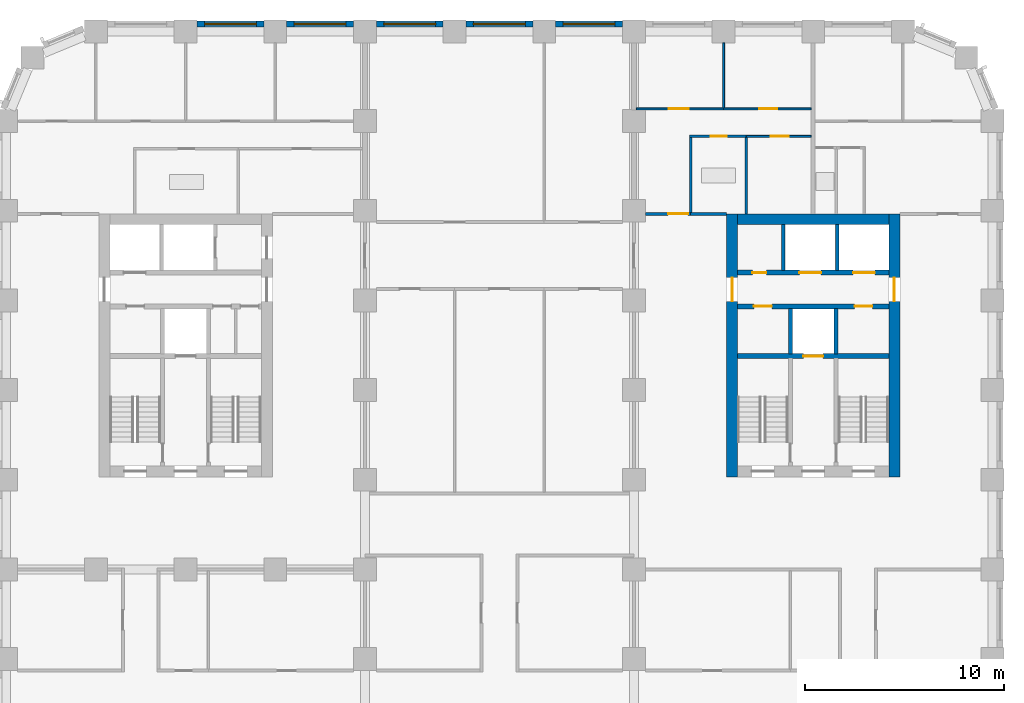
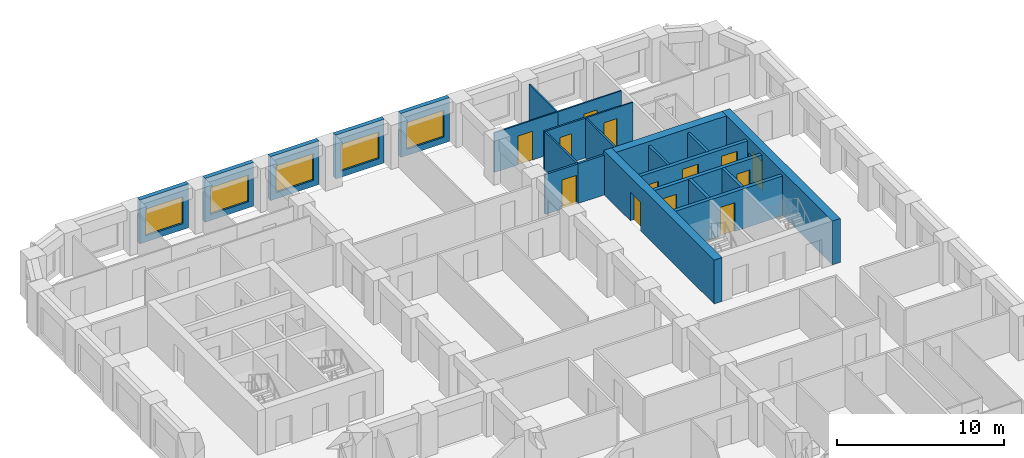
# One storey, part 8 of 13: 24 walls, 13 doors, 5 windows, 18 openings.
"""IFC4 building model written with IfcOpenShell, lengths in metres."""

from ifc_helpers import new_model, si_unit, direction, frame, frame_2d, origin, place, context, subcontext, project, spatial, rectangle, extrude, material, layer, layer_set, type_object, element, fill, save


model = new_model("IFC4")

# Units and contexts
model_context = context("Model", 3, precision=1e-05, world=origin(), true_north=direction((0.0, 1.0)))
body_context = subcontext(model_context, "Body", "Model", "MODEL_VIEW")
ifc_project = project(units=[si_unit("LENGTHUNIT", "METRE"), si_unit("AREAUNIT", "SQUARE_METRE"), si_unit("VOLUMEUNIT", "CUBIC_METRE"), si_unit("PLANEANGLEUNIT", "RADIAN"), si_unit("MASSUNIT", "GRAM", prefix="KILO")], contexts=[model_context])

# Site, building, storey
site_placement = place(None, origin())
site = spatial("IfcSite", under=ifc_project, at=site_placement, CompositionType="ELEMENT")
building_placement = place(site_placement, origin())
building = spatial("IfcBuilding", under=site, at=building_placement, Name="Girih Gate Residences", CompositionType="ELEMENT")
storey_placement = place(building_placement, frame((0.0, 0.0, 102.39990234375)))
storey = spatial("IfcBuildingStorey", under=building, at=storey_placement, Name="L28", CompositionType="ELEMENT", Elevation=102.39990234375)

# Wall
ifc_material_1 = material(Name="Gypsum board on steel studs", Category="steel")
ifc_layer_1 = layer(ifc_material_1, 0.14990234375)
ifc_layer_set_1 = layer_set([ifc_layer_1], Name="Compartment wall 150 mm")
wall_type_1 = type_object("IfcWallType", Name="Compartment wall 150 mm", PredefinedType="PARTITIONING", material=ifc_layer_set_1)
wall_1_placement = place(storey_placement, frame((34.35009765625, 40.35009765625, 0.0), z_axis=(0.0, 0.0, 1.0), x_axis=(1.0, 0.0, 0.0)))
element("IfcWall", 1, at=wall_1_placement, inside=storey, type_object=wall_type_1, Name="L28 partition", PredefinedType="PARTITIONING", context=body_context, shape_type="SweptSolid", body=[
    extrude(rectangle(XDim=1.7998046875, YDim=0.14990234375, at=frame_2d((0.89990234375, 0.0))), origin(), (0.0, 0.0, 1.0), 2.900146484375),
])

# Wall, opening, door
wall_2_placement = place(storey_placement, frame((32.074951171875, 40.35009765625, 0.0), z_axis=(0.0, 0.0, 1.0), x_axis=(1.0, 0.0, 0.0)))
wall_2 = element("IfcWall", 2, at=wall_2_placement, inside=storey, type_object=wall_type_1, Name="L28 partition", PredefinedType="PARTITIONING", context=body_context, shape_type="SweptSolid", body=[
    extrude(rectangle(XDim=2.275146484375, YDim=0.14990234375, at=frame_2d((1.1376953125, 0.0))), origin(), (0.0, 0.0, 1.0), 2.900146484375),
])
opening_1_placement = place(wall_2_placement, frame((1.14501953125, 0.0, 0.0)))
opening_1 = element("IfcOpeningElement", 3, at=opening_1_placement, cuts=wall_2, Name="Opening A28-038", PredefinedType="OPENING", context=body_context, shape_type="SweptSolid", body=[
    extrude(rectangle(XDim=1.0, YDim=2.10009765625, at=frame_2d((0.5, 1.050048828125))), frame((0.0, 0.0849609375, 0.0), z_axis=(0.0, -1.0, 0.0), x_axis=(1.0, 0.0, 0.0)), (0.0, 0.0, 1.0), 0.169921875),
])
ifc_material_2 = material(Name="Timber, fire-rated core", Category="wood")
door_type_1 = type_object("IfcDoorType", Name="Flat entrance door 1000x2100 FD30S", OperationType="NOTDEFINED", PredefinedType="DOOR", material=ifc_material_2)
door_1_placement = place(opening_1_placement, origin())
door_1 = element("IfcDoor", 4, at=door_1_placement, inside=storey, type_object=door_type_1, Name="Door A28-038", OperationType="SINGLE_SWING_RIGHT", OverallHeight=2.10009765625, OverallWidth=1.0, PredefinedType="DOOR", context=body_context, shape_type="SweptSolid", body=[
    extrude(rectangle(XDim=1.0, YDim=2.10009765625, at=frame_2d((0.5, 1.050048828125))), frame((0.0, 0.02490234375, 0.0), z_axis=(0.0, -1.0, 0.0), x_axis=(1.0, 0.0, 0.0)), (0.0, 0.0, 1.0), 0.050048828125),
])
fill(opening_1, door_1)

# Wall
ifc_material_3 = material(Name="Concrete C60/75", Category="concrete")
ifc_layer_2 = layer(ifc_material_3, 0.550048828125)
ifc_layer_set_2 = layer_set([ifc_layer_2], Name="Core wall RC 550 Concrete C60/75")
wall_type_2 = type_object("IfcWallType", Name="Core wall RC 550 Concrete C60/75", PredefinedType="SOLIDWALL", material=ifc_layer_set_2)
wall_3_placement = place(storey_placement, frame((36.699951171875, 40.074951171875, 0.0), z_axis=(0.0, 0.0, 1.0), x_axis=(1.0, 0.0, 0.0)))
element("IfcWall", 5, at=wall_3_placement, inside=storey, type_object=wall_type_2, Name="Core wall E-N L28", PredefinedType="SOLIDWALL", context=body_context, shape_type="SweptSolid", body=[
    extrude(rectangle(XDim=7.60009765625, YDim=0.550048828125, at=frame_2d((3.800048828125, 0.0))), origin(), (0.0, 0.0, 1.0), 3.2001953125),
])

# Wall, opening, door
wall_4_placement = place(storey_placement, frame((36.425048828125, 27.14990234375, 0.0), z_axis=(0.0, 0.0, 1.0), x_axis=(0.0, 1.0, 0.0)))
wall_4 = element("IfcWall", 6, at=wall_4_placement, inside=storey, type_object=wall_type_2, Name="Core wall E-W L28", PredefinedType="SOLIDWALL", context=body_context, shape_type="SweptSolid", body=[
    extrude(rectangle(XDim=13.2001953125, YDim=0.550048828125, at=frame_2d((6.60009765625, 0.0))), origin(), (0.0, 0.0, 1.0), 3.2001953125),
])
opening_2_placement = place(wall_4_placement, frame((8.800048828125, 0.0, 0.0)))
opening_2 = element("IfcOpeningElement", 7, at=opening_2_placement, cuts=wall_4, Name="Opening D-L28-E-012", PredefinedType="OPENING", context=body_context, shape_type="SweptSolid", body=[
    extrude(rectangle(XDim=1.199951171875, YDim=2.10009765625, at=frame_2d((0.60009765625, 1.050048828125))), frame((0.0, 0.284912109375, 0.0), z_axis=(0.0, -1.0, 0.0), x_axis=(1.0, 0.0, 0.0)), (0.0, 0.0, 1.0), 0.570068359375),
])
ifc_material_4 = material(Name="Painted steel, fire-resisting", Category="steel")
door_type_2 = type_object("IfcDoorType", Name="Fire door 1200x2100", OperationType="SINGLE_SWING_LEFT", PredefinedType="DOOR", material=ifc_material_4)
door_2_placement = place(opening_2_placement, origin())
door_2 = element("IfcDoor", 8, at=door_2_placement, inside=storey, type_object=door_type_2, Name="L28 E core door ll-w", OperationType="SINGLE_SWING_LEFT", OverallHeight=2.10009765625, OverallWidth=1.199951171875, PredefinedType="DOOR", context=body_context, shape_type="SweptSolid", body=[
    extrude(rectangle(XDim=1.199951171875, YDim=2.10009765625, at=frame_2d((0.60009765625, 1.050048828125))), frame((0.0, 0.02490234375, 0.0), z_axis=(0.0, -1.0, 0.0), x_axis=(1.0, 0.0, 0.0)), (0.0, 0.0, 1.0), 0.050048828125),
])
fill(opening_2, door_2)

wall_5_placement = place(storey_placement, frame((44.574951171875, 27.14990234375, 0.0), z_axis=(0.0, 0.0, 1.0), x_axis=(0.0, 1.0, 0.0)))
wall_5 = element("IfcWall", 9, at=wall_5_placement, inside=storey, type_object=wall_type_2, Name="Core wall E-E L28", PredefinedType="SOLIDWALL", context=body_context, shape_type="SweptSolid", body=[
    extrude(rectangle(XDim=13.2001953125, YDim=0.550048828125, at=frame_2d((6.60009765625, 0.0))), origin(), (0.0, 0.0, 1.0), 3.2001953125),
])
opening_3_placement = place(wall_5_placement, frame((8.800048828125, 0.0, 0.0)))
opening_3 = element("IfcOpeningElement", 10, at=opening_3_placement, cuts=wall_5, Name="Opening D-L28-E-013", PredefinedType="OPENING", context=body_context, shape_type="SweptSolid", body=[
    extrude(rectangle(XDim=1.199951171875, YDim=2.10009765625, at=frame_2d((0.60009765625, 1.050048828125))), frame((0.0, 0.284912109375, 0.0), z_axis=(0.0, -1.0, 0.0), x_axis=(1.0, 0.0, 0.0)), (0.0, 0.0, 1.0), 0.570068359375),
])
door_3_placement = place(opening_3_placement, origin())
door_3 = element("IfcDoor", 11, at=door_3_placement, inside=storey, type_object=door_type_2, Name="L28 E core door ll-e", OperationType="SINGLE_SWING_LEFT", OverallHeight=2.10009765625, OverallWidth=1.199951171875, PredefinedType="DOOR", context=body_context, shape_type="SweptSolid", body=[
    extrude(rectangle(XDim=1.199951171875, YDim=2.10009765625, at=frame_2d((0.60009765625, 1.050048828125))), frame((0.0, 0.02490234375, 0.0), z_axis=(0.0, -1.0, 0.0), x_axis=(1.0, 0.0, 0.0)), (0.0, 0.0, 1.0), 0.050048828125),
])
fill(opening_3, door_3)

ifc_material_5 = material(Name="Concrete C40/50", Category="concrete")
ifc_layer_3 = layer(ifc_material_5, 0.25)
ifc_layer_set_3 = layer_set([ifc_layer_3], Name="Lift shaft wall 250")
wall_type_3 = type_object("IfcWallType", Name="Lift shaft wall 250", PredefinedType="SOLIDWALL", material=ifc_layer_set_3)
wall_6_placement = place(storey_placement, frame((36.699951171875, 33.199951171875, 0.0), z_axis=(0.0, 0.0, 1.0), x_axis=(1.0, 0.0, 0.0)))
wall_6 = element("IfcWall", 12, at=wall_6_placement, inside=storey, type_object=wall_type_3, Name="L28 E core wall H1", PredefinedType="SOLIDWALL", context=body_context, shape_type="SweptSolid", body=[
    extrude(rectangle(XDim=7.60009765625, YDim=0.25, at=frame_2d((3.800048828125, 0.0))), origin(), (0.0, 0.0, 1.0), 2.900146484375),
])
opening_4_placement = place(wall_6_placement, frame((3.300048828125, 0.0, 0.0)))
opening_4 = element("IfcOpeningElement", 13, at=opening_4_placement, cuts=wall_6, Name="Opening D-L28-E-005", PredefinedType="OPENING", context=body_context, shape_type="SweptSolid", body=[
    extrude(rectangle(XDim=1.0, YDim=2.10009765625, at=frame_2d((0.5, 1.050048828125))), frame((0.0, 0.135009765625, 0.0), z_axis=(0.0, -1.0, 0.0), x_axis=(1.0, 0.0, 0.0)), (0.0, 0.0, 1.0), 0.27001953125),
])
ifc_material_6 = material(Name="Stainless steel, fire-resisting", Category="steel")
door_type_3 = type_object("IfcDoorType", Name="Firefighting lift landing door 1000x2100", OperationType="SLIDING_TO_LEFT", PredefinedType="DOOR", material=ifc_material_6)
door_4_placement = place(opening_4_placement, origin())
door_4 = element("IfcDoor", 14, at=door_4_placement, inside=storey, type_object=door_type_3, Name="L28 lift FF-E landing door", OperationType="SLIDING_TO_LEFT", OverallHeight=2.10009765625, OverallWidth=1.0, PredefinedType="DOOR", context=body_context, shape_type="SweptSolid", body=[
    extrude(rectangle(XDim=1.0, YDim=2.10009765625, at=frame_2d((0.5, 1.050048828125))), frame((0.0, 0.02490234375, 0.0), z_axis=(0.0, -1.0, 0.0), x_axis=(1.0, 0.0, 0.0)), (0.0, 0.0, 1.0), 0.050048828125),
])
fill(opening_4, door_4)

# Wall, openings, doors
wall_7_placement = place(storey_placement, frame((36.699951171875, 35.699951171875, 0.0), z_axis=(0.0, 0.0, 1.0), x_axis=(1.0, 0.0, 0.0)))
wall_7 = element("IfcWall", 15, at=wall_7_placement, inside=storey, type_object=wall_type_3, Name="L28 E core wall H2", PredefinedType="SOLIDWALL", context=body_context, shape_type="SweptSolid", body=[
    extrude(rectangle(XDim=7.60009765625, YDim=0.25, at=frame_2d((3.800048828125, 0.0))), origin(), (0.0, 0.0, 1.0), 2.900146484375),
])
opening_5_placement = place(wall_7_placement, frame((5.875, 0.0, 0.0)))
opening_5 = element("IfcOpeningElement", 16, at=opening_5_placement, cuts=wall_7, Name="Opening D-L28-E-007", PredefinedType="OPENING", context=body_context, shape_type="SweptSolid", body=[
    extrude(rectangle(XDim=0.89990234375, YDim=2.10009765625, at=frame_2d((0.449951171875, 1.050048828125))), frame((0.0, 0.135009765625, 0.0), z_axis=(0.0, -1.0, 0.0), x_axis=(1.0, 0.0, 0.0)), (0.0, 0.0, 1.0), 0.27001953125),
])
opening_6_placement = place(wall_7_placement, frame((0.824951171875, 0.0, 0.0)))
opening_6 = element("IfcOpeningElement", 17, at=opening_6_placement, cuts=wall_7, Name="Opening D-L28-E-008", PredefinedType="OPENING", context=body_context, shape_type="SweptSolid", body=[
    extrude(rectangle(XDim=0.89990234375, YDim=2.10009765625, at=frame_2d((0.449951171875, 1.050048828125))), frame((0.0, 0.135009765625, 0.0), z_axis=(0.0, -1.0, 0.0), x_axis=(1.0, 0.0, 0.0)), (0.0, 0.0, 1.0), 0.27001953125),
])
door_type_4 = type_object("IfcDoorType", Name="Fire door 900x2100", OperationType="SINGLE_SWING_LEFT", PredefinedType="DOOR", material=ifc_material_4)
door_5_placement = place(opening_5_placement, origin())
door_5 = element("IfcDoor", 18, at=door_5_placement, inside=storey, type_object=door_type_4, Name="L28 E housekeeping store door", OperationType="SINGLE_SWING_LEFT", OverallHeight=2.10009765625, OverallWidth=0.89990234375, PredefinedType="DOOR", context=body_context, shape_type="SweptSolid", body=[
    extrude(rectangle(XDim=0.89990234375, YDim=2.10009765625, at=frame_2d((0.449951171875, 1.050048828125))), frame((0.0, 0.02490234375, 0.0), z_axis=(0.0, -1.0, 0.0), x_axis=(1.0, 0.0, 0.0)), (0.0, 0.0, 1.0), 0.050048828125),
])
fill(opening_5, door_5)
door_6_placement = place(opening_6_placement, origin())
door_6 = element("IfcDoor", 19, at=door_6_placement, inside=storey, type_object=door_type_4, Name="L28 E it room door", OperationType="SINGLE_SWING_LEFT", OverallHeight=2.10009765625, OverallWidth=0.89990234375, PredefinedType="DOOR", context=body_context, shape_type="SweptSolid", body=[
    extrude(rectangle(XDim=0.89990234375, YDim=2.10009765625, at=frame_2d((0.449951171875, 1.050048828125))), frame((0.0, 0.02490234375, 0.0), z_axis=(0.0, -1.0, 0.0), x_axis=(1.0, 0.0, 0.0)), (0.0, 0.0, 1.0), 0.050048828125),
])
fill(opening_6, door_6)

wall_8_placement = place(storey_placement, frame((36.699951171875, 37.39990234375, 0.0), z_axis=(0.0, 0.0, 1.0), x_axis=(1.0, 0.0, 0.0)))
wall_8 = element("IfcWall", 20, at=wall_8_placement, inside=storey, type_object=wall_type_3, Name="L28 E core wall H3", PredefinedType="SOLIDWALL", context=body_context, shape_type="SweptSolid", body=[
    extrude(rectangle(XDim=7.60009765625, YDim=0.25, at=frame_2d((3.800048828125, 0.0))), origin(), (0.0, 0.0, 1.0), 2.900146484375),
])
opening_7_placement = place(wall_8_placement, frame((5.800048828125, 0.0, 0.0)))
opening_7 = element("IfcOpeningElement", 21, at=opening_7_placement, cuts=wall_8, Name="Opening D-L28-E-003", PredefinedType="OPENING", context=body_context, shape_type="SweptSolid", body=[
    extrude(rectangle(XDim=1.10009765625, YDim=2.39990234375, at=frame_2d((0.550048828125, 1.199951171875))), frame((0.0, 0.135009765625, 0.0), z_axis=(0.0, -1.0, 0.0), x_axis=(1.0, 0.0, 0.0)), (0.0, 0.0, 1.0), 0.27001953125),
])
opening_8_placement = place(wall_8_placement, frame((3.10009765625, 0.0, 0.0)))
opening_8 = element("IfcOpeningElement", 22, at=opening_8_placement, cuts=wall_8, Name="Opening D-L28-E-004", PredefinedType="OPENING", context=body_context, shape_type="SweptSolid", body=[
    extrude(rectangle(XDim=1.10009765625, YDim=2.39990234375, at=frame_2d((0.550048828125, 1.199951171875))), frame((0.0, 0.135009765625, 0.0), z_axis=(0.0, -1.0, 0.0), x_axis=(1.0, 0.0, 0.0)), (0.0, 0.0, 1.0), 0.27001953125),
])
opening_9_placement = place(wall_8_placement, frame((0.75, 0.0, 0.0)))
opening_9 = element("IfcOpeningElement", 23, at=opening_9_placement, cuts=wall_8, Name="Opening D-L28-E-006", PredefinedType="OPENING", context=body_context, shape_type="SweptSolid", body=[
    extrude(rectangle(XDim=0.699951171875, YDim=2.10009765625, at=frame_2d((0.35009765625, 1.050048828125))), frame((0.0, 0.135009765625, 0.0), z_axis=(0.0, -1.0, 0.0), x_axis=(1.0, 0.0, 0.0)), (0.0, 0.0, 1.0), 0.27001953125),
])
ifc_material_7 = material(Name="Stainless steel", Category="steel")
door_type_5 = type_object("IfcDoorType", Name="Lift landing door 1100x2400", OperationType="SLIDING_TO_LEFT", PredefinedType="DOOR", material=ifc_material_7)
door_7_placement = place(opening_7_placement, origin())
door_7 = element("IfcDoor", 24, at=door_7_placement, inside=storey, type_object=door_type_5, Name="L28 lift LR-E1 landing door", OperationType="SLIDING_TO_LEFT", OverallHeight=2.39990234375, OverallWidth=1.10009765625, PredefinedType="DOOR", context=body_context, shape_type="SweptSolid", body=[
    extrude(rectangle(XDim=1.10009765625, YDim=2.39990234375, at=frame_2d((0.550048828125, 1.199951171875))), frame((0.0, 0.02490234375, 0.0), z_axis=(0.0, -1.0, 0.0), x_axis=(1.0, 0.0, 0.0)), (0.0, 0.0, 1.0), 0.050048828125),
])
fill(opening_7, door_7)
door_8_placement = place(opening_8_placement, origin())
door_8 = element("IfcDoor", 25, at=door_8_placement, inside=storey, type_object=door_type_5, Name="L28 lift LR-E2 landing door", OperationType="SLIDING_TO_LEFT", OverallHeight=2.39990234375, OverallWidth=1.10009765625, PredefinedType="DOOR", context=body_context, shape_type="SweptSolid", body=[
    extrude(rectangle(XDim=1.10009765625, YDim=2.39990234375, at=frame_2d((0.550048828125, 1.199951171875))), frame((0.0, 0.02490234375, 0.0), z_axis=(0.0, -1.0, 0.0), x_axis=(1.0, 0.0, 0.0)), (0.0, 0.0, 1.0), 0.050048828125),
])
fill(opening_8, door_8)
door_type_6 = type_object("IfcDoorType", Name="Riser access door 700x2100", OperationType="SINGLE_SWING_LEFT", PredefinedType="DOOR", material=ifc_material_4)
door_9_placement = place(opening_9_placement, origin())
door_9 = element("IfcDoor", 26, at=door_9_placement, inside=storey, type_object=door_type_6, Name="L28 E riser room door", OperationType="SINGLE_SWING_LEFT", OverallHeight=2.10009765625, OverallWidth=0.699951171875, PredefinedType="DOOR", context=body_context, shape_type="SweptSolid", body=[
    extrude(rectangle(XDim=0.699951171875, YDim=2.10009765625, at=frame_2d((0.35009765625, 1.050048828125))), frame((0.0, 0.02490234375, 0.0), z_axis=(0.0, -1.0, 0.0), x_axis=(1.0, 0.0, 0.0)), (0.0, 0.0, 1.0), 0.050048828125),
])
fill(opening_9, door_9)

# Wall, opening, door
ifc_layer_4 = layer(ifc_material_1, 0.10009765625)
ifc_layer_set_4 = layer_set([ifc_layer_4], Name="Partition 100 mm")
wall_type_4 = type_object("IfcWallType", Name="Partition 100 mm", PredefinedType="PARTITIONING", material=ifc_layer_set_4)
wall_9_placement = place(storey_placement, frame((36.0, 45.614990234375, 0.0), z_axis=(0.0, 0.0, 1.0), x_axis=(1.0, 0.0, 0.0)))
wall_9 = element("IfcWall", 27, at=wall_9_placement, inside=storey, type_object=wall_type_4, Name="L28 partition", PredefinedType="PARTITIONING", context=body_context, shape_type="SweptSolid", body=[
    extrude(rectangle(XDim=4.39990234375, YDim=0.10009765625, at=frame_2d((2.199951171875, 0.0))), origin(), (0.0, 0.0, 1.0), 2.900146484375),
])
opening_10_placement = place(wall_9_placement, frame((1.800048828125, 0.0, 0.0)))
opening_10 = element("IfcOpeningElement", 28, at=opening_10_placement, cuts=wall_9, Name="Opening A28-035", PredefinedType="OPENING", context=body_context, shape_type="SweptSolid", body=[
    extrude(rectangle(XDim=0.89990234375, YDim=2.10009765625, at=frame_2d((0.449951171875, 1.050048828125))), frame((0.0, 0.06005859375, 0.0), z_axis=(0.0, -1.0, 0.0), x_axis=(1.0, 0.0, 0.0)), (0.0, 0.0, 1.0), 0.1201171875),
])
ifc_material_8 = material(Name="Timber", Category="wood")
door_type_7 = type_object("IfcDoorType", Name="Bedroom door 900x2100", OperationType="NOTDEFINED", PredefinedType="DOOR", material=ifc_material_8)
door_10_placement = place(opening_10_placement, origin())
door_10 = element("IfcDoor", 29, at=door_10_placement, inside=storey, type_object=door_type_7, Name="Door A28-035", OperationType="SINGLE_SWING_RIGHT", OverallHeight=2.10009765625, OverallWidth=0.89990234375, PredefinedType="DOOR", context=body_context, shape_type="SweptSolid", body=[
    extrude(rectangle(XDim=0.89990234375, YDim=2.10009765625, at=frame_2d((0.449951171875, 1.050048828125))), frame((0.0, 0.02490234375, 0.0), z_axis=(0.0, -1.0, 0.0), x_axis=(1.0, 0.0, 0.0)), (0.0, 0.0, 1.0), 0.050048828125),
])
fill(opening_10, door_10)

# Wall
wall_10_placement = place(storey_placement, frame((36.0, 45.6650390625, 0.0), z_axis=(0.0, 0.0, 1.0), x_axis=(0.0, 1.0, 0.0)))
element("IfcWall", 30, at=wall_10_placement, inside=storey, type_object=wall_type_4, Name="L28 partition", PredefinedType="PARTITIONING", context=body_context, shape_type="SweptSolid", body=[
    extrude(rectangle(XDim=3.260009765625, YDim=0.10009765625, at=frame_2d((1.6298828125, 0.0))), origin(), (0.0, 0.0, 1.0), 2.900146484375),
])

# Wall, opening, door
wall_11_placement = place(storey_placement, frame((40.39990234375, 44.235107421875, 0.0), z_axis=(0.0, 0.0, 1.0), x_axis=(-1.0, 0.0, 0.0)))
wall_11 = element("IfcWall", 31, at=wall_11_placement, inside=storey, type_object=wall_type_4, Name="L28 partition", PredefinedType="PARTITIONING", context=body_context, shape_type="SweptSolid", body=[
    extrude(rectangle(XDim=3.250244140625, YDim=0.10009765625, at=frame_2d((1.625, 0.0))), origin(), (0.0, 0.0, 1.0), 2.900146484375),
])
opening_11_placement = place(wall_11_placement, frame((1.125, 0.0, 0.0)))
opening_11 = element("IfcOpeningElement", 32, at=opening_11_placement, cuts=wall_11, Name="Opening A28-036", PredefinedType="OPENING", context=body_context, shape_type="SweptSolid", body=[
    extrude(rectangle(XDim=0.89990234375, YDim=2.10009765625, at=frame_2d((0.449951171875, 1.050048828125))), frame((0.0, 0.06005859375, 0.0), z_axis=(0.0, -1.0, 0.0), x_axis=(1.0, 0.0, 0.0)), (0.0, 0.0, 1.0), 0.1201171875),
])
door_type_8 = type_object("IfcDoorType", Name="Kitchen door 900x2100", OperationType="NOTDEFINED", PredefinedType="DOOR", material=ifc_material_8)
door_11_placement = place(opening_11_placement, origin())
door_11 = element("IfcDoor", 33, at=door_11_placement, inside=storey, type_object=door_type_8, Name="Door A28-036", OperationType="SINGLE_SWING_LEFT", OverallHeight=2.10009765625, OverallWidth=0.89990234375, PredefinedType="DOOR", context=body_context, shape_type="SweptSolid", body=[
    extrude(rectangle(XDim=0.89990234375, YDim=2.10009765625, at=frame_2d((0.449951171875, 1.050048828125))), frame((0.0, 0.02490234375, 0.0), z_axis=(0.0, -1.0, 0.0), x_axis=(1.0, 0.0, 0.0)), (0.0, 0.0, 1.0), 0.050048828125),
])
fill(opening_11, door_11)

wall_12_placement = place(storey_placement, frame((31.625, 45.614990234375, 0.0), z_axis=(0.0, 0.0, 1.0), x_axis=(1.0, 0.0, 0.0)))
wall_12 = element("IfcWall", 34, at=wall_12_placement, inside=storey, type_object=wall_type_4, Name="L28 partition", PredefinedType="PARTITIONING", context=body_context, shape_type="SweptSolid", body=[
    extrude(rectangle(XDim=4.375, YDim=0.10009765625, at=frame_2d((2.1875, 0.0))), origin(), (0.0, 0.0, 1.0), 2.900146484375),
])
opening_12_placement = place(wall_12_placement, frame((1.625, 0.0, 0.0)))
opening_12 = element("IfcOpeningElement", 35, at=opening_12_placement, cuts=wall_12, Name="Opening A28-037", PredefinedType="OPENING", context=body_context, shape_type="SweptSolid", body=[
    extrude(rectangle(XDim=1.0, YDim=2.10009765625, at=frame_2d((0.5, 1.050048828125))), frame((0.0, 0.06005859375, 0.0), z_axis=(0.0, -1.0, 0.0), x_axis=(1.0, 0.0, 0.0)), (0.0, 0.0, 1.0), 0.1201171875),
])
door_type_9 = type_object("IfcDoorType", Name="Living room door 1000x2100", OperationType="NOTDEFINED", PredefinedType="DOOR", material=ifc_material_8)
door_12_placement = place(opening_12_placement, origin())
door_12 = element("IfcDoor", 36, at=door_12_placement, inside=storey, type_object=door_type_9, Name="Door A28-037", OperationType="SINGLE_SWING_LEFT", OverallHeight=2.10009765625, OverallWidth=1.0, PredefinedType="DOOR", context=body_context, shape_type="SweptSolid", body=[
    extrude(rectangle(XDim=1.0, YDim=2.10009765625, at=frame_2d((0.5, 1.050048828125))), frame((0.0, 0.02490234375, 0.0), z_axis=(0.0, -1.0, 0.0), x_axis=(1.0, 0.0, 0.0)), (0.0, 0.0, 1.0), 0.050048828125),
])
fill(opening_12, door_12)

# Wall, opening, window
ifc_material_9 = material(Name="Precast concrete C50/60", Category="concrete")
ifc_layer_5 = layer(ifc_material_9, 0.080078125, Name="Outer leaf")
ifc_material_10 = material(Name="Rigid PIR insulation")
ifc_layer_6 = layer(ifc_material_10, 0.14990234375, Name="Insulation")
ifc_material_11 = material(Name="Precast concrete C40/50", Category="concrete")
ifc_layer_7 = layer(ifc_material_11, 0.070068359375, Name="Inner leaf")
ifc_layer_set_5 = layer_set([ifc_layer_5, ifc_layer_6, ifc_layer_7], Name="Precast concrete C50/60 external wall 300")
wall_type_5 = type_object("IfcWallType", Name="Precast concrete C50/60 external wall 300", PredefinedType="SOLIDWALL", material=ifc_layer_set_5)
wall_13_placement = place(storey_placement, frame((27.574951171875, 49.875, 0.0), z_axis=(0.0, 0.0, 1.0), x_axis=(1.0, 0.0, 0.0)))
wall_13 = element("IfcWall", 37, at=wall_13_placement, inside=storey, type_object=wall_type_5, Name="External wall N0450_0495.3", PredefinedType="SOLIDWALL", context=body_context, shape_type="SweptSolid", body=[
    extrude(rectangle(XDim=3.35009765625, YDim=0.300048828125, at=frame_2d((1.675048828125, 0.0))), origin(), (0.0, 0.0, 1.0), 3.2001953125),
])
opening_13_placement = place(wall_13_placement, frame((0.375, 0.0, 0.449951171875)))
opening_13 = element("IfcOpeningElement", 38, at=opening_13_placement, cuts=wall_13, Name="Opening W-1A", PredefinedType="OPENING", context=body_context, shape_type="SweptSolid", body=[
    extrude(rectangle(XDim=2.60009765625, YDim=1.949951171875, at=frame_2d((1.300048828125, 0.97509765625))), frame((0.0, 0.159912109375, 0.0), z_axis=(0.0, -1.0, 0.0), x_axis=(1.0, 0.0, 0.0)), (0.0, 0.0, 1.0), 0.320068359375),
])
ifc_material_12 = material(Name="Double glazing in aluminium frame", Category="aluminium")
window_type = type_object("IfcWindowType", Name="Window W-1A 2600x1950", PartitioningType="SINGLE_PANEL", PredefinedType="WINDOW", material=ifc_material_12)
window_1_placement = place(opening_13_placement, origin())
window_1 = element("IfcWindow", 39, at=window_1_placement, inside=storey, type_object=window_type, Name="Window W-1A N0450_0495.3", OverallHeight=1.949951171875, OverallWidth=2.60009765625, PartitioningType="SINGLE_PANEL", PredefinedType="WINDOW", context=body_context, shape_type="SweptSolid", body=[
    extrude(rectangle(XDim=2.60009765625, YDim=1.949951171875, at=frame_2d((1.300048828125, 0.97509765625))), frame((0.0, 0.030029296875, 0.0), z_axis=(0.0, -1.0, 0.0), x_axis=(1.0, 0.0, 0.0)), (0.0, 0.0, 1.0), 0.06005859375),
])
fill(opening_13, window_1)

wall_14_placement = place(storey_placement, frame((23.074951171875, 49.875, 0.0), z_axis=(0.0, 0.0, 1.0), x_axis=(1.0, 0.0, 0.0)))
wall_14 = element("IfcWall", 40, at=wall_14_placement, inside=storey, type_object=wall_type_5, Name="External wall N0450_0495.4", PredefinedType="SOLIDWALL", context=body_context, shape_type="SweptSolid", body=[
    extrude(rectangle(XDim=3.35009765625, YDim=0.300048828125, at=frame_2d((1.675048828125, 0.0))), origin(), (0.0, 0.0, 1.0), 3.2001953125),
])
opening_14_placement = place(wall_14_placement, frame((0.375, 0.0, 0.449951171875)))
opening_14 = element("IfcOpeningElement", 41, at=opening_14_placement, cuts=wall_14, Name="Opening W-1A", PredefinedType="OPENING", context=body_context, shape_type="SweptSolid", body=[
    extrude(rectangle(XDim=2.60009765625, YDim=1.949951171875, at=frame_2d((1.300048828125, 0.97509765625))), frame((0.0, 0.159912109375, 0.0), z_axis=(0.0, -1.0, 0.0), x_axis=(1.0, 0.0, 0.0)), (0.0, 0.0, 1.0), 0.320068359375),
])
window_2_placement = place(opening_14_placement, origin())
window_2 = element("IfcWindow", 42, at=window_2_placement, inside=storey, type_object=window_type, Name="Window W-1A N0450_0495.4", OverallHeight=1.949951171875, OverallWidth=2.60009765625, PartitioningType="SINGLE_PANEL", PredefinedType="WINDOW", context=body_context, shape_type="SweptSolid", body=[
    extrude(rectangle(XDim=2.60009765625, YDim=1.949951171875, at=frame_2d((1.300048828125, 0.97509765625))), frame((0.0, 0.030029296875, 0.0), z_axis=(0.0, -1.0, 0.0), x_axis=(1.0, 0.0, 0.0)), (0.0, 0.0, 1.0), 0.06005859375),
])
fill(opening_14, window_2)

wall_15_placement = place(storey_placement, frame((18.574951171875, 49.875, 0.0), z_axis=(0.0, 0.0, 1.0), x_axis=(1.0, 0.0, 0.0)))
wall_15 = element("IfcWall", 43, at=wall_15_placement, inside=storey, type_object=wall_type_5, Name="External wall N0450_0495.5", PredefinedType="SOLIDWALL", context=body_context, shape_type="SweptSolid", body=[
    extrude(rectangle(XDim=3.35009765625, YDim=0.300048828125, at=frame_2d((1.675048828125, 0.0))), origin(), (0.0, 0.0, 1.0), 3.2001953125),
])
opening_15_placement = place(wall_15_placement, frame((0.375, 0.0, 0.449951171875)))
opening_15 = element("IfcOpeningElement", 44, at=opening_15_placement, cuts=wall_15, Name="Opening W-1A", PredefinedType="OPENING", context=body_context, shape_type="SweptSolid", body=[
    extrude(rectangle(XDim=2.60009765625, YDim=1.949951171875, at=frame_2d((1.300048828125, 0.97509765625))), frame((0.0, 0.159912109375, 0.0), z_axis=(0.0, -1.0, 0.0), x_axis=(1.0, 0.0, 0.0)), (0.0, 0.0, 1.0), 0.320068359375),
])
window_3_placement = place(opening_15_placement, origin())
window_3 = element("IfcWindow", 45, at=window_3_placement, inside=storey, type_object=window_type, Name="Window W-1A N0450_0495.5", OverallHeight=1.949951171875, OverallWidth=2.60009765625, PartitioningType="SINGLE_PANEL", PredefinedType="WINDOW", context=body_context, shape_type="SweptSolid", body=[
    extrude(rectangle(XDim=2.60009765625, YDim=1.949951171875, at=frame_2d((1.300048828125, 0.97509765625))), frame((0.0, 0.030029296875, 0.0), z_axis=(0.0, -1.0, 0.0), x_axis=(1.0, 0.0, 0.0)), (0.0, 0.0, 1.0), 0.06005859375),
])
fill(opening_15, window_3)

wall_16_placement = place(storey_placement, frame((14.074951171875, 49.875, 0.0), z_axis=(0.0, 0.0, 1.0), x_axis=(1.0, 0.0, 0.0)))
wall_16 = element("IfcWall", 46, at=wall_16_placement, inside=storey, type_object=wall_type_5, Name="External wall N0450_0495.6", PredefinedType="SOLIDWALL", context=body_context, shape_type="SweptSolid", body=[
    extrude(rectangle(XDim=3.35009765625, YDim=0.300048828125, at=frame_2d((1.675048828125, 0.0))), origin(), (0.0, 0.0, 1.0), 3.2001953125),
])
opening_16_placement = place(wall_16_placement, frame((0.375, 0.0, 0.449951171875)))
opening_16 = element("IfcOpeningElement", 47, at=opening_16_placement, cuts=wall_16, Name="Opening W-1A", PredefinedType="OPENING", context=body_context, shape_type="SweptSolid", body=[
    extrude(rectangle(XDim=2.60009765625, YDim=1.949951171875, at=frame_2d((1.300048828125, 0.97509765625))), frame((0.0, 0.159912109375, 0.0), z_axis=(0.0, -1.0, 0.0), x_axis=(1.0, 0.0, 0.0)), (0.0, 0.0, 1.0), 0.320068359375),
])
window_4_placement = place(opening_16_placement, origin())
window_4 = element("IfcWindow", 48, at=window_4_placement, inside=storey, type_object=window_type, Name="Window W-1A N0450_0495.6", OverallHeight=1.949951171875, OverallWidth=2.60009765625, PartitioningType="SINGLE_PANEL", PredefinedType="WINDOW", context=body_context, shape_type="SweptSolid", body=[
    extrude(rectangle(XDim=2.60009765625, YDim=1.949951171875, at=frame_2d((1.300048828125, 0.97509765625))), frame((0.0, 0.030029296875, 0.0), z_axis=(0.0, -1.0, 0.0), x_axis=(1.0, 0.0, 0.0)), (0.0, 0.0, 1.0), 0.06005859375),
])
fill(opening_16, window_4)

wall_17_placement = place(storey_placement, frame((9.574951171875, 49.875, 0.0), z_axis=(0.0, 0.0, 1.0), x_axis=(1.0, 0.0, 0.0)))
wall_17 = element("IfcWall", 49, at=wall_17_placement, inside=storey, type_object=wall_type_5, Name="External wall N0450_0495.7", PredefinedType="SOLIDWALL", context=body_context, shape_type="SweptSolid", body=[
    extrude(rectangle(XDim=3.35009765625, YDim=0.300048828125, at=frame_2d((1.675048828125, 0.0))), origin(), (0.0, 0.0, 1.0), 3.2001953125),
])
opening_17_placement = place(wall_17_placement, frame((0.375, 0.0, 0.449951171875)))
opening_17 = element("IfcOpeningElement", 50, at=opening_17_placement, cuts=wall_17, Name="Opening W-1A", PredefinedType="OPENING", context=body_context, shape_type="SweptSolid", body=[
    extrude(rectangle(XDim=2.60009765625, YDim=1.949951171875, at=frame_2d((1.300048828125, 0.97509765625))), frame((0.0, 0.159912109375, 0.0), z_axis=(0.0, -1.0, 0.0), x_axis=(1.0, 0.0, 0.0)), (0.0, 0.0, 1.0), 0.320068359375),
])
window_5_placement = place(opening_17_placement, origin())
window_5 = element("IfcWindow", 51, at=window_5_placement, inside=storey, type_object=window_type, Name="Window W-1A N0450_0495.7", OverallHeight=1.949951171875, OverallWidth=2.60009765625, PartitioningType="SINGLE_PANEL", PredefinedType="WINDOW", context=body_context, shape_type="SweptSolid", body=[
    extrude(rectangle(XDim=2.60009765625, YDim=1.949951171875, at=frame_2d((1.300048828125, 0.97509765625))), frame((0.0, 0.030029296875, 0.0), z_axis=(0.0, -1.0, 0.0), x_axis=(1.0, 0.0, 0.0)), (0.0, 0.0, 1.0), 0.06005859375),
])
fill(opening_17, window_5)

# Walls
ifc_layer_8 = layer(ifc_material_5, 0.175048828125)
ifc_layer_set_6 = layer_set([ifc_layer_8], Name="Riser shaft wall 175")
wall_type_6 = type_object("IfcWallType", Name="Riser shaft wall 175", PredefinedType="SOLIDWALL", material=ifc_layer_set_6)
for number, where, z_axis, x_axis, name in (
    (52, (41.699951171875, 37.5, 0.0), (0.0, 0.0, 1.0), (0.0, 1.0, 0.0), "L28 E core wall V1c"),
    (53, (39.0, 37.5, 0.0), (0.0, 0.0, 1.0), (0.0, 1.0, 0.0), "L28 E core wall V2c"),
):
    element("IfcWall", number, at=place(storey_placement, frame(where, z_axis=z_axis, x_axis=x_axis)), inside=storey, type_object=wall_type_6, Name=name, PredefinedType="SOLIDWALL", context=body_context, shape_type="SweptSolid", body=[
        extrude(rectangle(XDim=2.300048828125, YDim=0.175048828125, at=frame_2d((1.14990234375, 0.0))), origin(), (0.0, 0.0, 1.0), 2.900146484375),
    ])
ifc_layer_9 = layer(ifc_material_5, 0.199951171875)
ifc_layer_set_7 = layer_set([ifc_layer_9], Name="Shaft wall 200")
wall_type_7 = type_object("IfcWallType", Name="Shaft wall 200", PredefinedType="SOLIDWALL", material=ifc_layer_set_7)
for number, where, z_axis, x_axis, name in (
    (54, (41.64990234375, 33.300048828125, 0.0), (0.0, 0.0, 1.0), (0.0, 1.0, 0.0), "L28 E core wall V1b"),
    (55, (39.35009765625, 33.300048828125, 0.0), (0.0, 0.0, 1.0), (0.0, 1.0, 0.0), "L28 E core wall V2b"),
):
    element("IfcWall", number, at=place(storey_placement, frame(where, z_axis=z_axis, x_axis=x_axis)), inside=storey, type_object=wall_type_7, Name=name, PredefinedType="SOLIDWALL", context=body_context, shape_type="SweptSolid", body=[
        extrude(rectangle(XDim=2.300048828125, YDim=0.199951171875, at=frame_2d((1.14990234375, 0.0))), origin(), (0.0, 0.0, 1.0), 2.900146484375),
    ])
ifc_layer_10 = layer(ifc_material_1, 0.125)
ifc_layer_set_8 = layer_set([ifc_layer_10], Name="Wet room wall 125 mm")
wall_type_8 = type_object("IfcWallType", Name="Wet room wall 125 mm", PredefinedType="PARTITIONING", material=ifc_layer_set_8)
wall_18_placement = place(storey_placement, frame((34.35009765625, 40.425048828125, 0.0), z_axis=(0.0, 0.0, 1.0), x_axis=(0.0, 1.0, 0.0)))
element("IfcWall", 56, at=wall_18_placement, inside=storey, type_object=wall_type_8, Name="L28 partition", PredefinedType="PARTITIONING", context=body_context, shape_type="SweptSolid", body=[
    extrude(rectangle(XDim=3.74755859375, YDim=0.125, at=frame_2d((1.873779296875, 0.0))), origin(), (0.0, 0.0, 1.0), 2.900146484375),
])

# Wall, opening, door
wall_19_placement = place(storey_placement, frame((37.149658203125, 44.235107421875, 0.0), z_axis=(0.0, 0.0, 1.0), x_axis=(-1.0, 0.0, 0.0)))
wall_19 = element("IfcWall", 57, at=wall_19_placement, inside=storey, type_object=wall_type_8, Name="L28 partition", PredefinedType="PARTITIONING", context=body_context, shape_type="SweptSolid", body=[
    extrude(rectangle(XDim=2.862060546875, YDim=0.125, at=frame_2d((1.43115234375, 0.0))), origin(), (0.0, 0.0, 1.0), 2.900146484375),
])
opening_18_placement = place(wall_19_placement, frame((1.0, 0.0, 0.0)))
opening_18 = element("IfcOpeningElement", 58, at=opening_18_placement, cuts=wall_19, Name="Opening A28-034", PredefinedType="OPENING", context=body_context, shape_type="SweptSolid", body=[
    extrude(rectangle(XDim=0.800048828125, YDim=2.10009765625, at=frame_2d((0.39990234375, 1.050048828125))), frame((0.0, 0.072509765625, 0.0), z_axis=(0.0, -1.0, 0.0), x_axis=(1.0, 0.0, 0.0)), (0.0, 0.0, 1.0), 0.14501953125),
])
door_type_10 = type_object("IfcDoorType", Name="Bathroom door 800x2100", OperationType="NOTDEFINED", PredefinedType="DOOR", material=ifc_material_8)
door_13_placement = place(opening_18_placement, origin())
door_13 = element("IfcDoor", 59, at=door_13_placement, inside=storey, type_object=door_type_10, Name="Door A28-034", OperationType="SINGLE_SWING_LEFT", OverallHeight=2.10009765625, OverallWidth=0.800048828125, PredefinedType="DOOR", context=body_context, shape_type="SweptSolid", body=[
    extrude(rectangle(XDim=0.800048828125, YDim=2.10009765625, at=frame_2d((0.39990234375, 1.050048828125))), frame((0.0, 0.02490234375, 0.0), z_axis=(0.0, -1.0, 0.0), x_axis=(1.0, 0.0, 0.0)), (0.0, 0.0, 1.0), 0.050048828125),
])
fill(opening_18, door_13)

# Wall
wall_20_placement = place(storey_placement, frame((37.14990234375, 40.35009765625, 0.0), z_axis=(0.0, 0.0, 1.0), x_axis=(0.0, 1.0, 0.0)))
element("IfcWall", 60, at=wall_20_placement, inside=storey, type_object=wall_type_8, Name="L28 partition", PredefinedType="PARTITIONING", context=body_context, shape_type="SweptSolid", body=[
    extrude(rectangle(XDim=3.822509765625, YDim=0.125, at=frame_2d((1.9111328125, 0.0))), origin(), (0.0, 0.0, 1.0), 2.900146484375),
])

save(model, "model.ifc")
